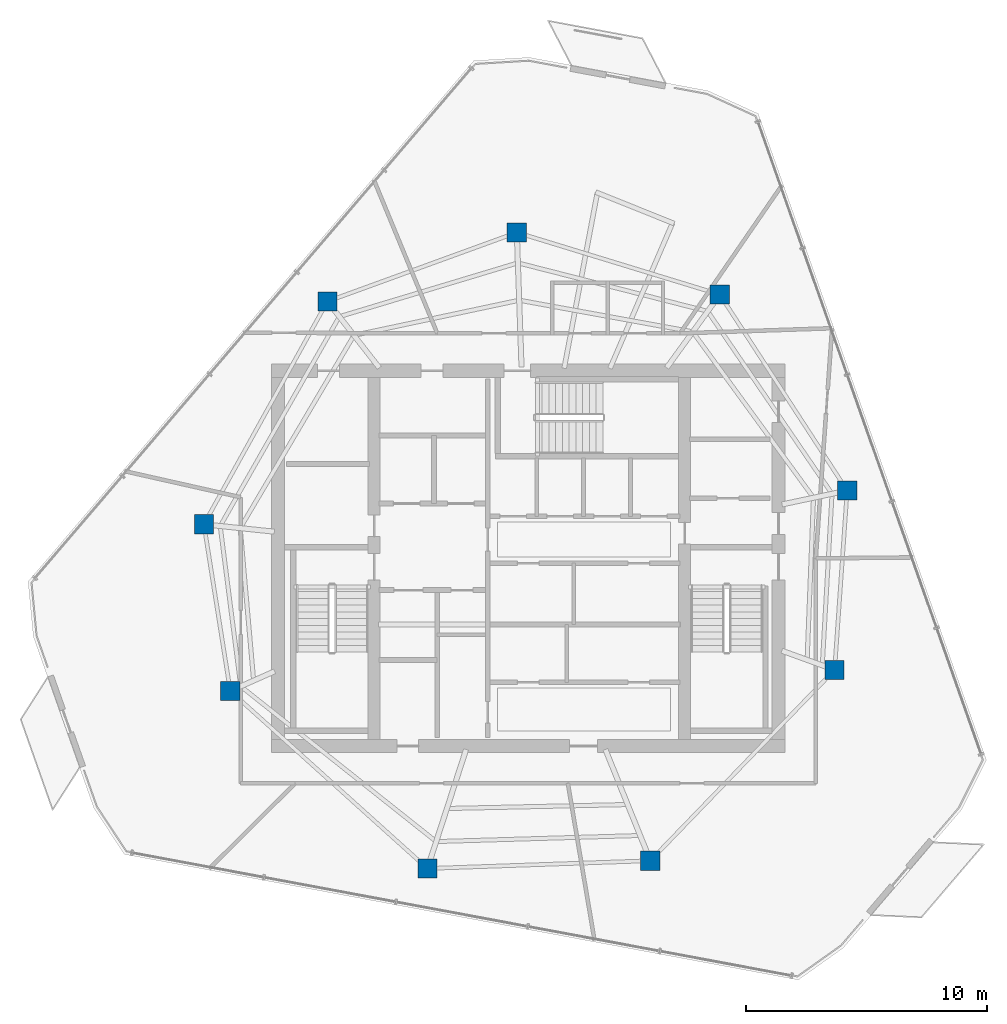
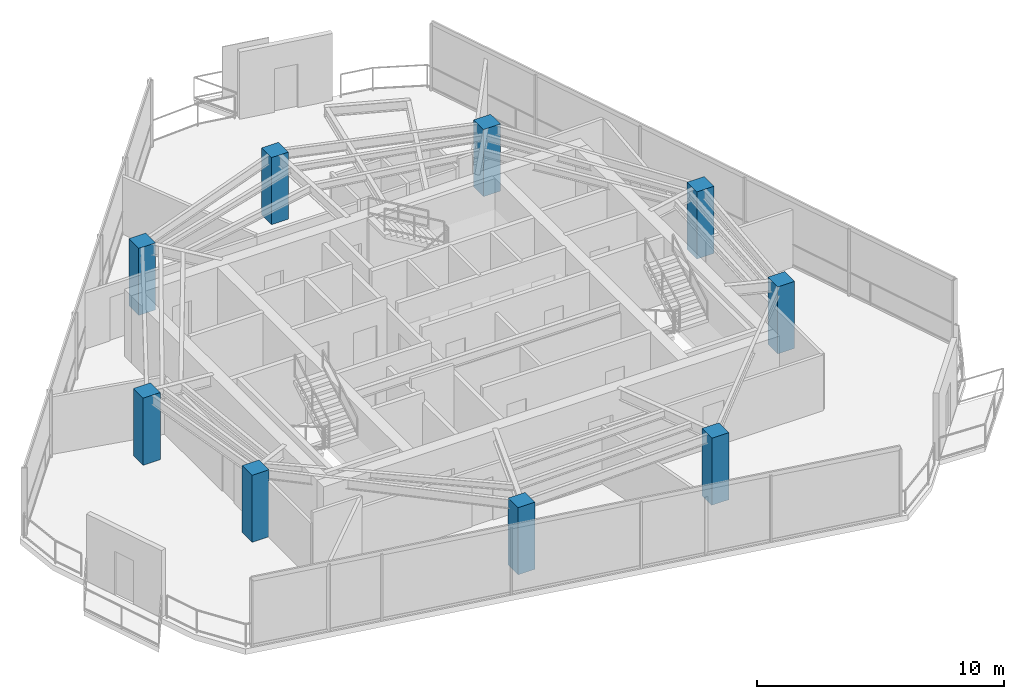
# One storey, part 1 of 18: 9 columns.
"""IFC4 building model written with IfcOpenShell, lengths in metres."""

from ifc_helpers import new_model, si_unit, direction, frame, origin, origin_2d, place, context, subcontext, project, spatial, rectangle, extrude, material, material_profile, profile_set, type_object, element, save


model = new_model("IFC4")

# Units and contexts
model_context = context("Model", 3, precision=1e-05, world=origin(), true_north=direction((0.0, 1.0)))
body_context = subcontext(model_context, "Body", "Model", "MODEL_VIEW")
ifc_project = project(units=[si_unit("LENGTHUNIT", "METRE"), si_unit("AREAUNIT", "SQUARE_METRE"), si_unit("VOLUMEUNIT", "CUBIC_METRE"), si_unit("PLANEANGLEUNIT", "RADIAN"), si_unit("MASSUNIT", "GRAM", prefix="KILO")], contexts=[model_context])

# Site, building, storey
site_placement = place(None, origin())
site = spatial("IfcSite", under=ifc_project, at=site_placement, CompositionType="ELEMENT")
building_placement = place(site_placement, origin())
building = spatial("IfcBuilding", under=site, at=building_placement, Name="Qarnah Convention Tower", CompositionType="ELEMENT")
storey_placement = place(building_placement, frame((0.0, 0.0, 253.5)))
storey = spatial("IfcBuildingStorey", under=building, at=storey_placement, Name="L68", CompositionType="ELEMENT", Elevation=253.5)

# Columns
ifc_material = material(Name="Concrete C50/60", Category="concrete")
ifc_material_profile = material_profile(ifc_material, rectangle(XDim=0.800048828125, YDim=0.800048828125, at=origin_2d()), Name="RC-COL-800X800")
ifc_profile_set = profile_set([ifc_material_profile], Name="Concrete C50/60")
column_type = type_object("IfcColumnType", Name="COL-Z5-800", PredefinedType="COLUMN", material=ifc_profile_set)
for number, where, z_axis, x_axis, name in (
    (1, (50.4541015625, 29.217041015625, 0.0), (0.0, 0.0, 1.0), (1.0, 0.0, 0.0), "L68 plumb column PC-Z5-01"),
    (2, (45.1640625, 37.362060546875, 0.0), (0.0, 0.0, 1.0), (1.0, 0.0, 0.0), "L68 plumb column PC-Z5-02"),
    (3, (36.72705078125, 39.94189453125, 0.0), (0.0, 0.0, 1.0), (1.0, 0.0, 0.0), "L68 plumb column PC-Z5-03"),
    (4, (28.85791015625, 37.077880859375, 0.0), (0.0, 0.0, 1.0), (1.0, 0.0, 0.0), "L68 plumb column PC-Z5-04"),
    (5, (23.72412109375, 27.81591796875, 0.0), (0.0, 0.0, 1.0), (1.0, 0.0, 0.0), "L68 plumb column PC-Z5-05"),
    (6, (24.821044921875, 20.888916015625, 0.0), (0.0, 0.0, 1.0), (1.0, 0.0, 0.0), "L68 plumb column PC-Z5-06"),
    (7, (33.012939453125, 13.512939453125, 0.0), (0.0, 0.0, 1.0), (1.0, 0.0, 0.0), "L68 plumb column PC-Z5-07"),
    (8, (42.27587890625, 13.8369140625, 0.0), (0.0, 0.0, 1.0), (1.0, 0.0, 0.0), "L68 plumb column PC-Z5-08"),
    (9, (49.93310546875, 21.76611328125, 0.0), (0.0, 0.0, 1.0), (1.0, 0.0, 0.0), "L68 plumb column PC-Z5-09"),
):
    element("IfcColumn", number, at=place(storey_placement, frame(where, z_axis=z_axis, x_axis=x_axis)), inside=storey, type_object=column_type, Name=name, PredefinedType="COLUMN", context=body_context, shape_type="SweptSolid", body=[
        extrude(rectangle(XDim=0.800048828125, YDim=0.800048828125, at=origin_2d()), origin(), (0.0, 0.0, 1.0), 3.320068359375),
    ])

save(model, "model.ifc")
